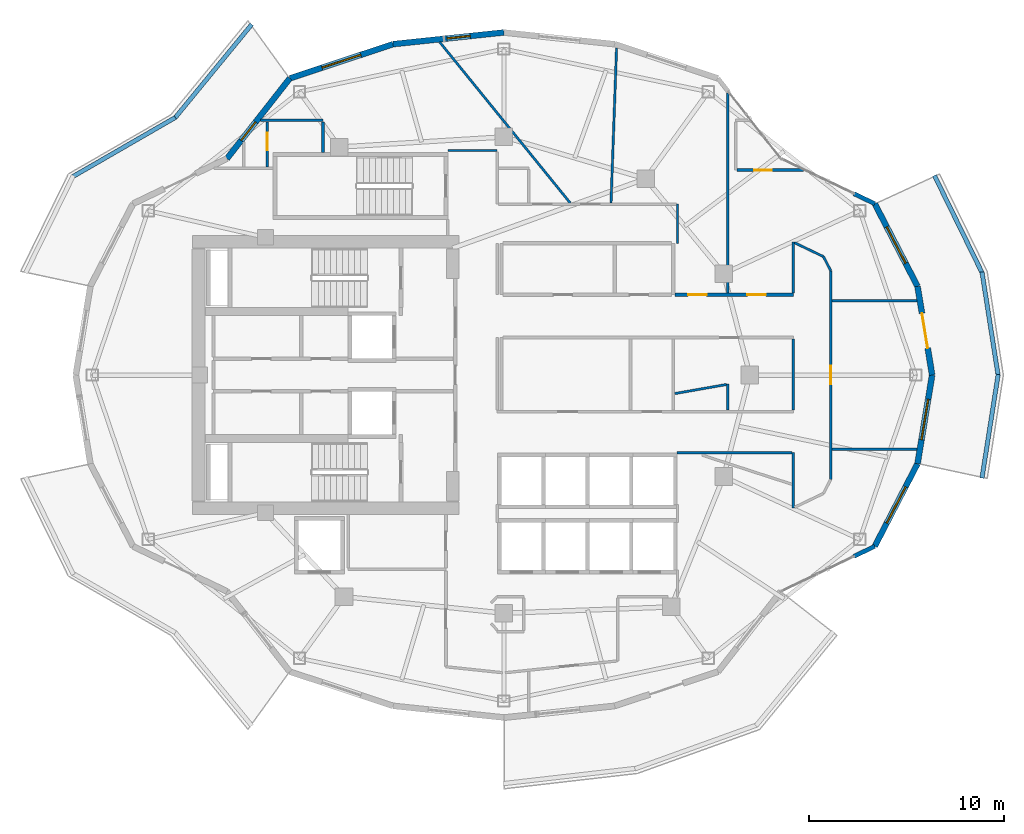
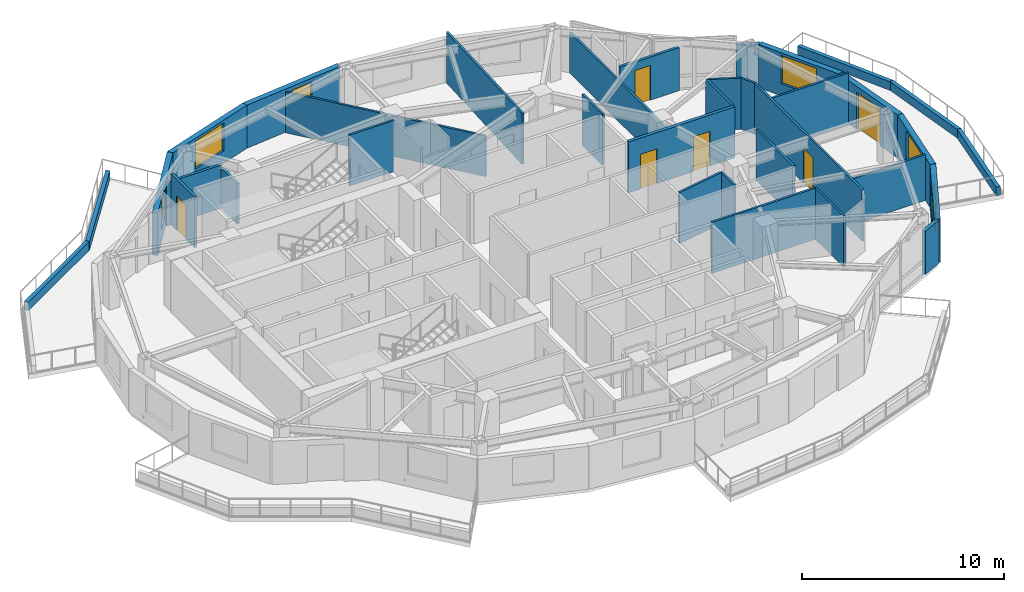
# One storey, part 8 of 13: 35 walls, 6 doors, 6 windows, 12 openings.
"""IFC4 building model written with IfcOpenShell, lengths in metres."""

import ifcopenshell
import ifcopenshell.guid

model = None  # the IFC model being written
_history = None  # IfcOwnerHistory: only IFC2X3 demands one
_inside = {}  # id of a spatial element -> (the spatial element, [elements in it])
_under = {}  # id of a project, library or spatial element -> (it, [spatial elements below it])
_declared = {}  # id of a project -> (the project, [libraries it declares])
_typed = {}  # id of a type object -> (the type object, [elements of that type])
_made_of = {}  # id of a material, layer set ... -> (it, [elements and type objects made of it])


def new_model(schema):
    """Start an empty IFC model of exactly this schema.

    Asked for "IFC4X3", IfcOpenShell would pick the latest addendum, in which some entities
    have other attributes; the version numbers below select the first issue.
    IFC2X3 requires an IfcOwnerHistory on every rooted entity: one is made here for all.
    """
    global model, _history
    if schema == "IFC4X3":
        model = ifcopenshell.file(schema_version=(4, 3, 0, 0))
    else:
        model = ifcopenshell.file(schema=schema)
    _inside.clear()
    _under.clear()
    _declared.clear()
    _typed.clear()
    _made_of.clear()
    _history = None
    if model.schema == "IFC2X3":
        org = make("IfcOrganization", Name="unknown")
        user = make(
            "IfcPersonAndOrganization",
            ThePerson=make("IfcPerson", FamilyName="unknown"),
            TheOrganization=org,
        )
        app = make(
            "IfcApplication",
            ApplicationDeveloper=org,
            Version="unknown",
            ApplicationFullName="unknown",
            ApplicationIdentifier="unknown",
        )
        _history = make(
            "IfcOwnerHistory",
            OwningUser=user,
            OwningApplication=app,
            ChangeAction="ADDED",
            CreationDate=0,
        )
    return model


def make(cls, **values):
    """One entity of the class cls with the attributes given. An attribute that is None is left unset."""
    return model.create_entity(
        cls, **{name: value for name, value in values.items() if value is not None}
    )


def rooted(cls, **values):
    """An entity with a GlobalId (a new one), such as an element, a storey or a relation."""
    return make(cls, GlobalId=ifcopenshell.guid.new(), OwnerHistory=_history, **values)


def si_unit(unit_type, name, prefix=None):
    """IfcSIUnit, for example si_unit("LENGTHUNIT", "METRE", prefix="MILLI")."""
    return make("IfcSIUnit", UnitType=unit_type, Prefix=prefix, Name=name)


def assignment(units):
    """IfcUnitAssignment: the units of a project."""
    return None if units is None else make("IfcUnitAssignment", Units=units)


def point(xyz):
    """IfcCartesianPoint."""
    return None if xyz is None else make("IfcCartesianPoint", Coordinates=xyz)


def direction(xyz):
    """IfcDirection."""
    return None if xyz is None else make("IfcDirection", DirectionRatios=xyz)


def frame(location, z_axis=None, x_axis=None):
    """IfcAxis2Placement3D, a coordinate frame: its origin and axes. An axis left out is left unset."""
    return make(
        "IfcAxis2Placement3D",
        Location=point(location),
        Axis=direction(z_axis),
        RefDirection=direction(x_axis),
    )


def frame_2d(location, x_axis=None):
    """IfcAxis2Placement2D, a coordinate frame in the plane: its origin and x axis."""
    return make(
        "IfcAxis2Placement2D", Location=point(location), RefDirection=direction(x_axis)
    )


def origin():
    """The frame at (0, 0, 0) with its axes left unset."""
    return frame((0.0, 0.0, 0.0))


def place(relative_to, where):
    """IfcLocalPlacement: puts the frame where relative to a parent placement (None: the world)."""
    return make(
        "IfcLocalPlacement", PlacementRelTo=relative_to, RelativePlacement=where
    )


def context(
    kind, dimensions, precision=None, world=None, true_north=None, identifier=None
):
    """IfcGeometricRepresentationContext, for example the 3D "Model" context."""
    return make(
        "IfcGeometricRepresentationContext",
        ContextIdentifier=identifier,
        ContextType=kind,
        CoordinateSpaceDimension=dimensions,
        Precision=precision,
        WorldCoordinateSystem=world,
        TrueNorth=true_north,
    )


def subcontext(parent, identifier, kind, view, scale=None):
    """IfcGeometricRepresentationSubContext, for example "Body" below "Model"."""
    return make(
        "IfcGeometricRepresentationSubContext",
        ContextIdentifier=identifier,
        ContextType=kind,
        ParentContext=parent,
        TargetScale=scale,
        TargetView=view,
    )


def project(units=None, contexts=None):
    """IfcProject with its units and contexts."""
    return rooted(
        "IfcProject",
        Name="project",
        RepresentationContexts=contexts,
        UnitsInContext=assignment(units),
    )


def spatial(cls, under=None, at=None, **own):
    """A site, building, storey or space (cls), placed at a placement, below another one or the project."""
    s = rooted(cls, ObjectPlacement=at, **own)
    if under is not None:
        _under.setdefault(under.id(), (under, []))[1].append(s)
    return s


def profile(cls, at=None, kind="AREA", **sizes):
    """A parametric profile (cls). Its sizes go by their IFC names, for example OverallWidth=200.0."""
    return make(cls, ProfileType=kind, Position=at, **sizes)


def rectangle(**sizes):
    """IfcRectangleProfileDef."""
    return profile("IfcRectangleProfileDef", **sizes)


def extrude(swept, where, along, depth):
    """IfcExtrudedAreaSolid: the profile swept, set in the frame where, extruded along a direction by depth."""
    return make(
        "IfcExtrudedAreaSolid",
        SweptArea=swept,
        Position=where,
        ExtrudedDirection=direction(along),
        Depth=depth,
    )


def shape(context_of_items, identifier, shape_type, items):
    """IfcShapeRepresentation: the items that make up one representation, for example the "Body"."""
    return make(
        "IfcShapeRepresentation",
        ContextOfItems=context_of_items,
        RepresentationIdentifier=identifier,
        RepresentationType=shape_type,
        Items=items,
    )


def material(Name=None, Category=None):
    """IfcMaterial."""
    return make("IfcMaterial", Name=Name, Category=Category)


def layer(
    of_material, thickness, ventilated=None, Name=None, Category=None, Priority=None
):
    """IfcMaterialLayer: one layer of a wall or slab, of a material (None: an air gap)."""
    return make(
        "IfcMaterialLayer",
        Material=of_material,
        LayerThickness=thickness,
        IsVentilated=ventilated,
        Name=Name,
        Category=Category,
        Priority=Priority,
    )


def layer_set(layers, Name=None):
    """IfcMaterialLayerSet."""
    return make("IfcMaterialLayerSet", MaterialLayers=layers, LayerSetName=Name)


def made_of(thing, what):
    """Note that an element or type object is made of a material, layer set ...; save() writes the relation."""
    if what is not None:
        _made_of.setdefault(what.id(), (what, []))[1].append(thing)
    return thing


def type_object(cls, material=None, **own):
    """A type object (cls), such as IfcWallType, which elements share."""
    return made_of(rooted(cls, **own), material)


def element(
    cls,
    number,
    at=None,
    inside=None,
    cuts=None,
    type_object=None,
    material=None,
    context=None,
    identifier="Body",
    shape_type=None,
    held_by="IfcProductDefinitionShape",
    body=None,
    shapes=None,
    **own,
):
    """One element of the class cls, such as IfcWall. Its Tag is "e" and its number.

    at: its placement. inside: the storey or other place that contains it. cuts: it is an
    opening in that element (IfcRelVoidsElement). A single representation is given by context,
    identifier, shape_type and body (its items); several are given by shapes. held_by: the class
    of the entity that holds the representations. save() writes the other relations.
    """
    e = rooted(cls, Tag="e%d" % number, ObjectPlacement=at, **own)
    if body is not None:
        shapes = [shape(context, identifier, shape_type, body)]
    if shapes is not None:
        e.Representation = make(held_by, Representations=shapes)
    if inside is not None:
        _inside.setdefault(inside.id(), (inside, []))[1].append(e)
    if cuts is not None:
        rooted(
            "IfcRelVoidsElement", RelatingBuildingElement=cuts, RelatedOpeningElement=e
        )
    if type_object is not None:
        _typed.setdefault(type_object.id(), (type_object, []))[1].append(e)
    return made_of(e, material)


def fill(opening, filler):
    """IfcRelFillsElement: the door or window that sits in an opening."""
    return rooted(
        "IfcRelFillsElement",
        RelatingOpeningElement=opening,
        RelatedBuildingElement=filler,
    )


def aggregate(whole, parts):
    """IfcRelAggregates: a whole, such as a stair, and the parts it consists of."""
    return rooted("IfcRelAggregates", RelatingObject=whole, RelatedObjects=parts)


def save(model, path):
    """Write the relations noted so far, then the file.

    IfcRelAggregates (storeys below a building ...), IfcRelContainedInSpatialStructure (elements
    in a storey), IfcRelDefinesByType, IfcRelAssociatesMaterial and IfcRelDeclares: one each for
    every whole, place, type object, material and project.
    """
    for whole, parts in _under.values():
        aggregate(whole, parts)
    for where, things in _inside.values():
        rooted(
            "IfcRelContainedInSpatialStructure",
            RelatedElements=things,
            RelatingStructure=where,
        )
    for kind, things in _typed.values():
        rooted("IfcRelDefinesByType", RelatedObjects=things, RelatingType=kind)
    for what, things in _made_of.values():
        rooted("IfcRelAssociatesMaterial", RelatedObjects=things, RelatingMaterial=what)
    for by, libraries in _declared.values():
        rooted("IfcRelDeclares", RelatingContext=by, RelatedDefinitions=libraries)
    model.write(path)


model = new_model("IFC4")

# Units and contexts
model_context = context("Model", 3, precision=1e-05, world=origin(), true_north=direction((0.0, 1.0)))
body_context = subcontext(model_context, "Body", "Model", "MODEL_VIEW")
ifc_project = project(units=[si_unit("LENGTHUNIT", "METRE"), si_unit("AREAUNIT", "SQUARE_METRE"), si_unit("VOLUMEUNIT", "CUBIC_METRE"), si_unit("PLANEANGLEUNIT", "RADIAN"), si_unit("MASSUNIT", "GRAM", prefix="KILO")], contexts=[model_context])

# Site, building, storey
site_placement = place(None, origin())
site = spatial("IfcSite", under=ifc_project, at=site_placement, CompositionType="ELEMENT")
building_placement = place(site_placement, origin())
building = spatial("IfcBuilding", under=site, at=building_placement, Name="Kolvaren Gate Tower and Convention Centre", CompositionType="ELEMENT")
storey_placement = place(building_placement, frame((0.0, 0.0, 183.5)))
storey = spatial("IfcBuildingStorey", under=building, at=storey_placement, Name="L48", CompositionType="ELEMENT", Elevation=183.5)

# Wall, openings, doors
ifc_material_1 = material(Name="Autoclaved Aerated Masonry Blockwork Class 4 (4.0 MPa)", Category="masonry")
ifc_layer_1 = layer(ifc_material_1, 0.179931640625)
ifc_layer_set_1 = layer_set([ifc_layer_1], Name="Autoclaved Aerated Masonry Blockwork Class 4 (4.0 MPa)")
wall_type_1 = type_object("IfcWallType", Name="ARCH-WL-COMP-180", PredefinedType="SOLIDWALL", material=ifc_layer_set_1)
wall_1_placement = place(storey_placement, frame((38.89208984375, 31.1201171875, 0.0), z_axis=(0.0, 0.0, 1.0), x_axis=(1.0, 0.0, 0.0)))
wall_1 = element("IfcWall", 1, at=wall_1_placement, inside=storey, type_object=wall_type_1, Name="Interior Partition WL-L48-INT-019 (2)", PredefinedType="SOLIDWALL", context=body_context, shape_type="SweptSolid", body=[
    extrude(rectangle(XDim=6.057861328125, YDim=0.179931640625, at=frame_2d((3.02880859375, 0.0))), origin(), (0.0, 0.0, 1.0), 3.080078125),
])
opening_1_placement = place(wall_1_placement, frame((3.702880859375, 0.0, 0.0)))
opening_1 = element("IfcOpeningElement", 2, at=opening_1_placement, cuts=wall_1, Name="Opening DR-01", PredefinedType="OPENING", context=body_context, shape_type="SweptSolid", body=[
    extrude(rectangle(XDim=0.949951171875, YDim=2.10009765625, at=frame_2d((0.47509765625, 1.050048828125))), frame((0.0, 0.099853515625, 0.0), z_axis=(0.0, -1.0, 0.0), x_axis=(1.0, 0.0, 0.0)), (0.0, 0.0, 1.0), 0.199951171875),
])
opening_2_placement = place(wall_1_placement, frame((0.6640625, 0.0, 0.0)))
opening_2 = element("IfcOpeningElement", 3, at=opening_2_placement, cuts=wall_1, Name="Opening DR-01", PredefinedType="OPENING", context=body_context, shape_type="SweptSolid", body=[
    extrude(rectangle(XDim=0.949951171875, YDim=2.10009765625, at=frame_2d((0.47509765625, 1.050048828125))), frame((0.0, 0.099853515625, 0.0), z_axis=(0.0, -1.0, 0.0), x_axis=(1.0, 0.0, 0.0)), (0.0, 0.0, 1.0), 0.199951171875),
])
ifc_material_2 = material(Name="Painted Architectural Steelwork ASTM A500 Grade C 345 MPa", Category="steel")
door_type_1 = type_object("IfcDoorType", Name="ARCH-DR-RISER-950", OperationType="SINGLE_SWING_RIGHT", PredefinedType="DOOR", material=ifc_material_2)
door_1_placement = place(opening_1_placement, origin())
door_1 = element("IfcDoor", 4, at=door_1_placement, inside=storey, type_object=door_type_1, Name="Hotel Guest Room (HTL-L48-05) Door", OperationType="SINGLE_SWING_LEFT", OverallHeight=2.10009765625, OverallWidth=0.949951171875, PredefinedType="DOOR", context=body_context, shape_type="SweptSolid", body=[
    extrude(rectangle(XDim=0.949951171875, YDim=2.10009765625, at=frame_2d((0.47509765625, 1.050048828125))), frame((0.0, 0.02490234375, 0.0), z_axis=(0.0, -1.0, 0.0), x_axis=(1.0, 0.0, 0.0)), (0.0, 0.0, 1.0), 0.050048828125),
])
fill(opening_1, door_1)
door_2_placement = place(opening_2_placement, origin())
door_2 = element("IfcDoor", 5, at=door_2_placement, inside=storey, type_object=door_type_1, Name="Hotel Botanical Clubroom Door", OperationType="SINGLE_SWING_RIGHT", OverallHeight=2.10009765625, OverallWidth=0.949951171875, PredefinedType="DOOR", context=body_context, shape_type="SweptSolid", body=[
    extrude(rectangle(XDim=0.949951171875, YDim=2.10009765625, at=frame_2d((0.47509765625, 1.050048828125))), frame((0.0, 0.02490234375, 0.0), z_axis=(0.0, -1.0, 0.0), x_axis=(1.0, 0.0, 0.0)), (0.0, 0.0, 1.0), 0.050048828125),
])
fill(opening_2, door_2)

# Walls
ifc_material_3 = material(Name="Fire-Rated Acoustic Gypsum Stud Partition", Category="gypsum")
ifc_layer_2 = layer(ifc_material_3, 0.1201171875)
ifc_layer_set_2 = layer_set([ifc_layer_2], Name="Fire-Rated Acoustic Gypsum Stud Partition")
wall_type_2 = type_object("IfcWallType", Name="ARCH-WL-PART-120", PredefinedType="PARTITIONING", material=ifc_layer_set_2)
wall_2_placement = place(storey_placement, frame((39.02001953125, 33.75, 0.0), z_axis=(0.0, 0.0, 1.0), x_axis=(0.0, 1.0, 0.0)))
element("IfcWall", 6, at=wall_2_placement, inside=storey, type_object=wall_type_2, Name="Interior Partition WL-L48-INT-023", PredefinedType="PARTITIONING", context=body_context, shape_type="SweptSolid", body=[
    extrude(rectangle(XDim=2.0, YDim=0.1201171875, at=frame_2d((1.0, 0.0))), origin(), (0.0, 0.0, 1.0), 3.080078125),
])
wall_3_placement = place(storey_placement, frame((27.25, 38.5, 0.0), z_axis=(0.0, 0.0, 1.0), x_axis=(1.0, 0.0, 0.0)))
element("IfcWall", 7, at=wall_3_placement, inside=storey, type_object=wall_type_2, Name="Interior Partition WL-L48-INT-030", PredefinedType="PARTITIONING", context=body_context, shape_type="SweptSolid", body=[
    extrude(rectangle(XDim=2.530029296875, YDim=0.1201171875, at=frame_2d((1.26513671875, 0.0))), origin(), (0.0, 0.0, 1.0), 3.080078125),
])
wall_4_placement = place(storey_placement, frame((44.949951171875, 20.19189453125, 0.0), z_axis=(0.0, 0.0, 1.0), x_axis=(0.0, 1.0, 0.0)))
element("IfcWall", 8, at=wall_4_placement, inside=storey, type_object=wall_type_2, Name="Interior Partition WL-L48-INT-036", PredefinedType="PARTITIONING", context=body_context, shape_type="SweptSolid", body=[
    extrude(rectangle(XDim=2.828125, YDim=0.1201171875, at=frame_2d((1.4140625, 0.0))), origin(), (0.0, 0.0, 1.0), 3.080078125),
])
wall_5_placement = place(storey_placement, frame((44.949951171875, 25.197021484375, 0.0), z_axis=(0.0, 0.0, 1.0), x_axis=(0.0, 1.0, 0.0)))
element("IfcWall", 9, at=wall_5_placement, inside=storey, type_object=wall_type_2, Name="Interior Partition WL-L48-INT-037", PredefinedType="PARTITIONING", context=body_context, shape_type="SweptSolid", body=[
    extrude(rectangle(XDim=3.64599609375, YDim=0.1201171875, at=frame_2d((1.822998046875, 0.0))), origin(), (0.0, 0.0, 1.0), 3.080078125),
])
wall_6_placement = place(storey_placement, frame((44.949951171875, 31.2119140625, 0.0), z_axis=(0.0, 0.0, 1.0), x_axis=(0.0, 1.0, 0.0)))
element("IfcWall", 10, at=wall_6_placement, inside=storey, type_object=wall_type_2, Name="Interior Partition WL-L48-INT-038", PredefinedType="PARTITIONING", context=body_context, shape_type="SweptSolid", body=[
    extrude(rectangle(XDim=2.59619140625, YDim=0.1201171875, at=frame_2d((1.298095703125, 0.0))), origin(), (0.0, 0.0, 1.0), 3.080078125),
])
wall_7_placement = place(storey_placement, frame((45.011962890625, 33.7783203125, 0.0), z_axis=(0.0, 0.0, 1.0), x_axis=(0.901268034538, -0.433261964544, 0.0)))
element("IfcWall", 11, at=wall_7_placement, inside=storey, type_object=wall_type_2, Name="Interior Partition WL-L48-INT-039", PredefinedType="PARTITIONING", context=body_context, shape_type="SweptSolid", body=[
    extrude(rectangle(XDim=1.644287109375, YDim=0.1201171875, at=frame_2d((0.822265625, 0.0))), origin(), (0.0, 0.0, 1.0), 3.080078125),
])
wall_8_placement = place(storey_placement, frame((46.493896484375, 33.06591796875, 0.0), z_axis=(0.0, 0.0, 1.0), x_axis=(0.460674892026, -0.887568951607, 0.0)))
element("IfcWall", 12, at=wall_8_placement, inside=storey, type_object=wall_type_2, Name="Interior Partition WL-L48-INT-040", PredefinedType="PARTITIONING", context=body_context, shape_type="SweptSolid", body=[
    extrude(rectangle(XDim=0.816650390625, YDim=0.1201171875, at=frame_2d((0.408203125, 0.0))), origin(), (0.0, 0.0, 1.0), 3.080078125),
])

# Wall, opening, door
wall_9_placement = place(storey_placement, frame((46.8701171875, 21.658935546875, 0.0), z_axis=(0.0, 0.0, 1.0), x_axis=(0.0, 1.0, 0.0)))
wall_9 = element("IfcWall", 13, at=wall_9_placement, inside=storey, type_object=wall_type_2, Name="Interior Partition WL-L48-INT-041", PredefinedType="PARTITIONING", context=body_context, shape_type="SweptSolid", body=[
    extrude(rectangle(XDim=10.68212890625, YDim=0.1201171875, at=frame_2d((5.341064453125, 0.0))), origin(), (0.0, 0.0, 1.0), 3.080078125),
])
opening_3_placement = place(wall_9_placement, frame((4.865966796875, 0.0, 0.0)))
opening_3 = element("IfcOpeningElement", 14, at=opening_3_placement, cuts=wall_9, Name="Opening DR-01", PredefinedType="OPENING", context=body_context, shape_type="SweptSolid", body=[
    extrude(rectangle(XDim=0.949951171875, YDim=2.10009765625, at=frame_2d((0.47509765625, 1.050048828125))), frame((0.0, 0.070068359375, 0.0), z_axis=(0.0, -1.0, 0.0), x_axis=(1.0, 0.0, 0.0)), (0.0, 0.0, 1.0), 0.14013671875),
])
door_3_placement = place(opening_3_placement, origin())
door_3 = element("IfcDoor", 15, at=door_3_placement, inside=storey, type_object=door_type_1, Name="Sky Gastronomy Restaurant Door", OperationType="SINGLE_SWING_LEFT", OverallHeight=2.10009765625, OverallWidth=0.949951171875, PredefinedType="DOOR", context=body_context, shape_type="SweptSolid", body=[
    extrude(rectangle(XDim=0.949951171875, YDim=2.10009765625, at=frame_2d((0.47509765625, 1.050048828125))), frame((0.0, 0.02490234375, 0.0), z_axis=(0.0, -1.0, 0.0), x_axis=(1.0, 0.0, 0.0)), (0.0, 0.0, 1.0), 0.050048828125),
])
fill(opening_3, door_3)

# Walls
wall_10_placement = place(storey_placement, frame((39.0, 23.02001953125, 0.0), z_axis=(0.0, 0.0, 1.0), x_axis=(1.0, 0.0, 0.0)))
element("IfcWall", 16, at=wall_10_placement, inside=storey, type_object=wall_type_2, Name="Interior Partition WL-L48-INT-044", PredefinedType="PARTITIONING", context=body_context, shape_type="SweptSolid", body=[
    extrude(rectangle(XDim=5.887939453125, YDim=0.1201171875, at=frame_2d((2.94384765625, 0.0))), origin(), (0.0, 0.0, 1.0), 3.080078125),
])
wall_11_placement = place(storey_placement, frame((46.931884765625, 23.199951171875, 0.0), z_axis=(0.0, 0.0, 1.0), x_axis=(1.0, 0.0, 0.0)))
element("IfcWall", 17, at=wall_11_placement, inside=storey, type_object=wall_type_2, Name="Interior Partition WL-L48-INT-054", PredefinedType="PARTITIONING", context=body_context, shape_type="SweptSolid", body=[
    extrude(rectangle(XDim=4.351318359375, YDim=0.1201171875, at=frame_2d((2.17578125, 0.0))), origin(), (0.0, 0.0, 1.0), 2.761962890625),
])
wall_12_placement = place(storey_placement, frame((46.931884765625, 30.800048828125, 0.0), z_axis=(0.0, 0.0, 1.0), x_axis=(1.0, 0.0, 0.0)))
element("IfcWall", 18, at=wall_12_placement, inside=storey, type_object=wall_type_2, Name="Interior Partition WL-L48-INT-055", PredefinedType="PARTITIONING", context=body_context, shape_type="SweptSolid", body=[
    extrude(rectangle(XDim=4.351318359375, YDim=0.1201171875, at=frame_2d((2.17578125, 0.0))), origin(), (0.0, 0.0, 1.0), 3.080078125),
])
wall_13_placement = place(storey_placement, frame((41.60009765625, 25.197021484375, 0.0), z_axis=(0.0, 0.0, 1.0), x_axis=(0.0, 1.0, 0.0)))
element("IfcWall", 19, at=wall_13_placement, inside=storey, type_object=wall_type_2, Name="Interior Partition WL-L48-INT-056", PredefinedType="PARTITIONING", context=body_context, shape_type="SweptSolid", body=[
    extrude(rectangle(XDim=1.3310546875, YDim=0.1201171875, at=frame_2d((0.66552734375, 0.0))), origin(), (0.0, 0.0, 1.0), 3.080078125),
])
wall_14_placement = place(storey_placement, frame((41.60009765625, 31.2119140625, 0.0), z_axis=(0.0, 0.0, 1.0), x_axis=(0.0, 1.0, 0.0)))
element("IfcWall", 20, at=wall_14_placement, inside=storey, type_object=wall_type_2, Name="Interior Partition WL-L48-INT-057", PredefinedType="PARTITIONING", context=body_context, shape_type="SweptSolid", body=[
    extrude(rectangle(XDim=10.23828125, YDim=0.1201171875, at=frame_2d((5.119140625, 0.0))), origin(), (0.0, 0.0, 1.0), 2.455078125),
])
wall_15_placement = place(storey_placement, frame((38.876953125, 26.048583984375, 0.0), z_axis=(0.0, 0.0, 1.0), x_axis=(0.984853517989, 0.173388431286, 0.0)))
element("IfcWall", 21, at=wall_15_placement, inside=storey, type_object=wall_type_2, Name="Interior Partition WL-L48-INT-058", PredefinedType="PARTITIONING", context=body_context, shape_type="SweptSolid", body=[
    extrude(rectangle(XDim=2.7021484375, YDim=0.1201171875, at=frame_2d((1.35107421875, 0.0))), origin(), (0.0, 0.0, 1.0), 3.080078125),
])
wall_16_placement = place(storey_placement, frame((35.611083984375, 35.81201171875, 0.0), z_axis=(0.0, 0.0, 1.0), x_axis=(0.035850277254, 0.999357172197, 0.0)))
element("IfcWall", 22, at=wall_16_placement, inside=storey, type_object=wall_type_2, Name="Interior Partition WL-L48-INT-063", PredefinedType="PARTITIONING", context=body_context, shape_type="SweptSolid", body=[
    extrude(rectangle(XDim=7.9541015625, YDim=0.1201171875, at=frame_2d((3.97705078125, 0.0))), origin(), (0.0, 0.0, 1.0), 3.080078125),
])
wall_17_placement = place(storey_placement, frame((26.83935546875, 44.051025390625, 0.0), z_axis=(0.0, 0.0, 1.0), x_axis=(0.630087458982, -0.77652417479, 0.0)))
element("IfcWall", 23, at=wall_17_placement, inside=storey, type_object=wall_type_2, Name="Interior Partition WL-L48-INT-064", PredefinedType="PARTITIONING", context=body_context, shape_type="SweptSolid", body=[
    extrude(rectangle(XDim=10.610107421875, YDim=0.1201171875, at=frame_2d((5.30517578125, 0.0))), origin(), (0.0, 0.0, 1.0), 2.455078125),
])
ifc_material_4 = material(Name="Bogota Sabana Bush-Hammered Sandstone Cladding", Category="masonry")
ifc_layer_3 = layer(ifc_material_4, 0.219970703125)
ifc_layer_set_3 = layer_set([ifc_layer_3], Name="Bogota Sabana Bush-Hammered Sandstone Cladding")
wall_type_3 = type_object("IfcWallType", Name="ARCH-WL-PIER-220", PredefinedType="SOLIDWALL", material=ifc_layer_set_3)
for number, where, z_axis, x_axis, name in (
    (24, (48.05859375, 36.28662109375, 0.0), (0.0, 0.0, 1.0), (0.901303636532, -0.433187897769, 0.0), "Tower L48 Unitised Curtain Wall CW-HTL-UNIT Bay 02 Right Column Pier Wrap"),
    (25, (48.05859375, 17.71337890625, 0.0), (0.0, 0.0, 1.0), (0.901303636532, 0.433187897769, 0.0), "Tower L48 Unitised Curtain Wall CW-HTL-UNIT Bay 21 Right Column Pier Wrap"),
):
    element("IfcWall", number, at=place(storey_placement, frame(where, z_axis=z_axis, x_axis=x_axis)), inside=storey, type_object=wall_type_3, Name=name, PredefinedType="SOLIDWALL", context=body_context, shape_type="SweptSolid", body=[
        extrude(rectangle(XDim=1.181396484375, YDim=0.219970703125, at=frame_2d((0.5908203125, 0.0))), origin(), (0.0, 0.0, 1.0), 2.60302734375),
    ])
ifc_material_5 = material(Name="Piedmont Cream Honed Limestone Cladding", Category="masonry")
ifc_layer_4 = layer(ifc_material_5, 0.219970703125)
ifc_layer_set_4 = layer_set([ifc_layer_4], Name="Piedmont Cream Honed Limestone Cladding")
wall_type_4 = type_object("IfcWallType", Name="ARCH-WL-PLANTER-220", PredefinedType="PARAPET", material=ifc_layer_set_4)
wall_18_placement = place(storey_placement, frame((13.24609375, 40.13720703125, 0.0), z_axis=(0.0, 0.0, 1.0), x_axis=(0.634429234628, 0.77298094818, 0.0)))
element("IfcWall", 26, at=wall_18_placement, inside=storey, type_object=wall_type_4, Name="Vertical-Forest Balcony Stone Planter Kerb PK-L48-1.1", PredefinedType="PARAPET", context=body_context, shape_type="SweptSolid", body=[
    extrude(rectangle(XDim=6.244873046875, YDim=0.219970703125, at=frame_2d((3.12255859375, 0.0))), origin(), (0.0, 0.0, 1.0), 0.52001953125),
])
wall_19_placement = place(storey_placement, frame((8.0439453125, 37.16552734375, 0.0), z_axis=(0.0, 0.0, 1.0), x_axis=(0.866058128659, 0.499943314571, 0.0)))
element("IfcWall", 27, at=wall_19_placement, inside=storey, type_object=wall_type_4, Name="Vertical-Forest Balcony Stone Planter Kerb PK-L48-1.2", PredefinedType="PARAPET", context=body_context, shape_type="SweptSolid", body=[
    extrude(rectangle(XDim=6.060302734375, YDim=0.219970703125, at=frame_2d((3.0302734375, 0.0))), origin(), (0.0, 0.0, 1.0), 0.52001953125),
])
for number, where, z_axis, x_axis, name in (
    (28, (54.615234375, 21.719970703125, 0.0), (0.0, 0.0, 1.0), (0.154245214003, 0.988032597619, 0.0), "Vertical-Forest Balcony Stone Planter Kerb PK-L48-4.1"),
    (29, (54.615234375, 32.280029296875, 0.0), (0.0, 0.0, 1.0), (0.154245214003, -0.988032597619, 0.0), "Vertical-Forest Balcony Stone Planter Kerb PK-L48-4.2"),
):
    element("IfcWall", number, at=place(storey_placement, frame(where, z_axis=z_axis, x_axis=x_axis)), inside=storey, type_object=wall_type_4, Name=name, PredefinedType="PARAPET", context=body_context, shape_type="SweptSolid", body=[
        extrude(rectangle(XDim=5.37353515625, YDim=0.219970703125, at=frame_2d((2.686767578125, 0.0))), origin(), (0.0, 0.0, 1.0), 0.52001953125),
    ])
wall_20_placement = place(storey_placement, frame((52.180419921875, 37.221435546875, 0.0), z_axis=(0.0, 0.0, 1.0), x_axis=(0.439637174641, -0.898175458735, 0.0)))
element("IfcWall", 30, at=wall_20_placement, inside=storey, type_object=wall_type_4, Name="Vertical-Forest Balcony Stone Planter Kerb PK-L48-4.3", PredefinedType="PARAPET", context=body_context, shape_type="SweptSolid", body=[
    extrude(rectangle(XDim=5.567138671875, YDim=0.219970703125, at=frame_2d((2.78369140625, 0.0))), origin(), (0.0, 0.0, 1.0), 0.52001953125),
])

# Wall, opening, door
ifc_layer_5 = layer(ifc_material_5, 0.300048828125)
ifc_layer_set_5 = layer_set([ifc_layer_5], Name="Piedmont Cream Honed Limestone Cladding")
wall_type_5 = type_object("IfcWallType", Name="ARCH-WL-STONE-300", PredefinedType="SOLIDWALL", material=ifc_layer_set_5)
wall_21_placement = place(storey_placement, frame((51.31494140625, 31.542236328125, 0.0), z_axis=(0.0, 0.0, 1.0), x_axis=(0.162394765401, -0.986725868806, 0.0)))
wall_21 = element("IfcWall", 31, at=wall_21_placement, inside=storey, type_object=wall_type_5, Name="Tower L48 Honed Stone Spandrel Wall EW-00", PredefinedType="SOLIDWALL", context=body_context, shape_type="SweptSolid", body=[
    extrude(rectangle(XDim=4.603271484375, YDim=0.300048828125, at=frame_2d((2.3017578125, 0.0))), origin(), (0.0, 0.0, 1.0), 2.60302734375),
])
opening_4_placement = place(wall_21_placement, frame((1.402099609375, 0.0, 0.0)))
opening_4 = element("IfcOpeningElement", 32, at=opening_4_placement, cuts=wall_21, Name="Opening DB-01", PredefinedType="OPENING", context=body_context, shape_type="SweptSolid", body=[
    extrude(rectangle(XDim=1.800048828125, YDim=2.25, at=frame_2d((0.89990234375, 1.125))), frame((0.0, 0.159912109375, 0.0), z_axis=(0.0, -1.0, 0.0), x_axis=(1.0, 0.0, 0.0)), (0.0, 0.0, 1.0), 0.320068359375),
])
ifc_material_6 = material(Name="Anodized Architectural Aluminium Alloy 6063-T6", Category="aluminium")
door_type_2 = type_object("IfcDoorType", Name="ARCH-DR-BALC-1800", OperationType="SLIDING_TO_LEFT", PredefinedType="DOOR", material=ifc_material_6)
door_4_placement = place(opening_4_placement, origin())
door_4 = element("IfcDoor", 33, at=door_4_placement, inside=storey, type_object=door_type_2, Name="Planted Sky Terrace Access Door DB-L48-00", OperationType="SLIDING_TO_LEFT", OverallHeight=2.25, OverallWidth=1.800048828125, PredefinedType="DOOR", context=body_context, shape_type="SweptSolid", body=[
    extrude(rectangle(XDim=1.800048828125, YDim=2.25, at=frame_2d((0.89990234375, 1.125))), frame((0.0, 0.02490234375, 0.0), z_axis=(0.0, -1.0, 0.0), x_axis=(1.0, 0.0, 0.0)), (0.0, 0.0, 1.0), 0.050048828125),
])
fill(opening_4, door_4)

# Wall, opening, window
wall_22_placement = place(storey_placement, frame((49.123291015625, 35.77490234375, 0.0), z_axis=(0.0, 0.0, 1.0), x_axis=(0.459810251451, -0.888017191647, 0.0)))
wall_22 = element("IfcWall", 34, at=wall_22_placement, inside=storey, type_object=wall_type_5, Name="Tower L48 Honed Stone Spandrel Wall EW-01", PredefinedType="SOLIDWALL", context=body_context, shape_type="SweptSolid", body=[
    extrude(rectangle(XDim=4.766357421875, YDim=0.300048828125, at=frame_2d((2.38330078125, 0.0))), origin(), (0.0, 0.0, 1.0), 2.60302734375),
])
opening_5_placement = place(wall_22_placement, frame((1.3330078125, 0.0, 0.739990234375)))
opening_5 = element("IfcOpeningElement", 35, at=opening_5_placement, cuts=wall_22, Name="Opening W-02", PredefinedType="OPENING", context=body_context, shape_type="SweptSolid", body=[
    extrude(rectangle(XDim=2.10009765625, YDim=1.699951171875, at=frame_2d((1.050048828125, 0.85009765625))), frame((0.0, 0.159912109375, 0.0), z_axis=(0.0, -1.0, 0.0), x_axis=(1.0, 0.0, 0.0)), (0.0, 0.0, 1.0), 0.320068359375),
])
ifc_material_7 = material(Name="Low-E Triple Insulated Glazing Unit 44 mm", Category="glass")
window_type_1 = type_object("IfcWindowType", Name="ARCH-WN-HTL-2100", PartitioningType="SINGLE_PANEL", PredefinedType="WINDOW", material=ifc_material_7)
window_1_placement = place(opening_5_placement, origin())
window_1 = element("IfcWindow", 36, at=window_1_placement, inside=storey, type_object=window_type_1, Name="Tower L48 Punched Stone Facade Window W-01", OverallHeight=1.699951171875, OverallWidth=2.10009765625, PartitioningType="SINGLE_PANEL", PredefinedType="WINDOW", context=body_context, shape_type="SweptSolid", body=[
    extrude(rectangle(XDim=2.10009765625, YDim=1.699951171875, at=frame_2d((1.050048828125, 0.85009765625))), frame((0.0, 0.030029296875, 0.0), z_axis=(0.0, -1.0, 0.0), x_axis=(1.0, 0.0, 0.0)), (0.0, 0.0, 1.0), 0.06005859375),
])
fill(opening_5, window_1)

wall_23_placement = place(storey_placement, frame((24.447265625, 43.951904296875, 0.0), z_axis=(0.0, 0.0, 1.0), x_axis=(0.994496545245, 0.104769372887, 0.0)))
wall_23 = element("IfcWall", 37, at=wall_23_placement, inside=storey, type_object=wall_type_5, Name="Tower L48 Honed Stone Spandrel Wall EW-06", PredefinedType="SOLIDWALL", context=body_context, shape_type="SweptSolid", body=[
    extrude(rectangle(XDim=5.709228515625, YDim=0.300048828125, at=frame_2d((2.8544921875, 0.0))), origin(), (0.0, 0.0, 1.0), 2.60302734375),
])
opening_6_placement = place(wall_23_placement, frame((2.780029296875, 0.0, 0.719970703125)))
opening_6 = element("IfcOpeningElement", 38, at=opening_6_placement, cuts=wall_23, Name="Opening W-04", PredefinedType="OPENING", context=body_context, shape_type="SweptSolid", body=[
    extrude(rectangle(XDim=1.199951171875, YDim=1.64990234375, at=frame_2d((0.60009765625, 0.824951171875))), frame((0.0, 0.159912109375, 0.0), z_axis=(0.0, -1.0, 0.0), x_axis=(1.0, 0.0, 0.0)), (0.0, 0.0, 1.0), 0.320068359375),
])
window_type_2 = type_object("IfcWindowType", Name="ARCH-WN-NARROW-1200", PartitioningType="SINGLE_PANEL", PredefinedType="WINDOW", material=ifc_material_7)
window_2_placement = place(opening_6_placement, origin())
window_2 = element("IfcWindow", 39, at=window_2_placement, inside=storey, type_object=window_type_2, Name="Tower L48 Punched Stone Facade Window W-06", OverallHeight=1.64990234375, OverallWidth=1.199951171875, PartitioningType="SINGLE_PANEL", PredefinedType="WINDOW", context=body_context, shape_type="SweptSolid", body=[
    extrude(rectangle(XDim=1.199951171875, YDim=1.64990234375, at=frame_2d((0.60009765625, 0.824951171875))), frame((0.0, 0.030029296875, 0.0), z_axis=(0.0, -1.0, 0.0), x_axis=(1.0, 0.0, 0.0)), (0.0, 0.0, 1.0), 0.06005859375),
])
fill(opening_6, window_2)

wall_24_placement = place(storey_placement, frame((19.15625, 42.19873046875, 0.0), z_axis=(0.0, 0.0, 1.0), x_axis=(0.949246811547, 0.314532177636, 0.0)))
wall_24 = element("IfcWall", 40, at=wall_24_placement, inside=storey, type_object=wall_type_5, Name="Tower L48 Honed Stone Spandrel Wall EW-07", PredefinedType="SOLIDWALL", context=body_context, shape_type="SweptSolid", body=[
    extrude(rectangle(XDim=5.573974609375, YDim=0.300048828125, at=frame_2d((2.787109375, 0.0))), origin(), (0.0, 0.0, 1.0), 2.60302734375),
])
opening_7_placement = place(wall_24_placement, frame((1.737060546875, 0.0, 0.739990234375)))
opening_7 = element("IfcOpeningElement", 41, at=opening_7_placement, cuts=wall_24, Name="Opening W-02", PredefinedType="OPENING", context=body_context, shape_type="SweptSolid", body=[
    extrude(rectangle(XDim=2.10009765625, YDim=1.699951171875, at=frame_2d((1.050048828125, 0.85009765625))), frame((0.0, 0.159912109375, 0.0), z_axis=(0.0, -1.0, 0.0), x_axis=(1.0, 0.0, 0.0)), (0.0, 0.0, 1.0), 0.320068359375),
])
window_3_placement = place(opening_7_placement, origin())
window_3 = element("IfcWindow", 42, at=window_3_placement, inside=storey, type_object=window_type_1, Name="Tower L48 Punched Stone Facade Window W-07", OverallHeight=1.699951171875, OverallWidth=2.10009765625, PartitioningType="SINGLE_PANEL", PredefinedType="WINDOW", context=body_context, shape_type="SweptSolid", body=[
    extrude(rectangle(XDim=2.10009765625, YDim=1.699951171875, at=frame_2d((1.050048828125, 0.85009765625))), frame((0.0, 0.030029296875, 0.0), z_axis=(0.0, -1.0, 0.0), x_axis=(1.0, 0.0, 0.0)), (0.0, 0.0, 1.0), 0.06005859375),
])
fill(opening_7, window_3)

wall_25_placement = place(storey_placement, frame((15.9365234375, 38.0859375, 0.0), z_axis=(0.0, 0.0, 1.0), x_axis=(0.616429245738, 0.787410302828, 0.0)))
wall_25 = element("IfcWall", 43, at=wall_25_placement, inside=storey, type_object=wall_type_5, Name="Tower L48 Honed Stone Spandrel Wall EW-08", PredefinedType="SOLIDWALL", context=body_context, shape_type="SweptSolid", body=[
    extrude(rectangle(XDim=5.22314453125, YDim=0.300048828125, at=frame_2d((2.611572265625, 0.0))), origin(), (0.0, 0.0, 1.0), 2.60302734375),
])
opening_8_placement = place(wall_25_placement, frame((1.179931640625, 0.0, 0.719970703125)))
opening_8 = element("IfcOpeningElement", 44, at=opening_8_placement, cuts=wall_25, Name="Opening W-04", PredefinedType="OPENING", context=body_context, shape_type="SweptSolid", body=[
    extrude(rectangle(XDim=1.199951171875, YDim=1.64990234375, at=frame_2d((0.60009765625, 0.824951171875))), frame((0.0, 0.159912109375, 0.0), z_axis=(0.0, -1.0, 0.0), x_axis=(1.0, 0.0, 0.0)), (0.0, 0.0, 1.0), 0.320068359375),
])
window_4_placement = place(opening_8_placement, origin())
window_4 = element("IfcWindow", 45, at=window_4_placement, inside=storey, type_object=window_type_2, Name="Tower L48 Punched Stone Facade Window W-08", OverallHeight=1.64990234375, OverallWidth=1.199951171875, PartitioningType="SINGLE_PANEL", PredefinedType="WINDOW", context=body_context, shape_type="SweptSolid", body=[
    extrude(rectangle(XDim=1.199951171875, YDim=1.64990234375, at=frame_2d((0.60009765625, 0.824951171875))), frame((0.0, 0.030029296875, 0.0), z_axis=(0.0, -1.0, 0.0), x_axis=(1.0, 0.0, 0.0)), (0.0, 0.0, 1.0), 0.06005859375),
])
fill(opening_8, window_4)

wall_26_placement = place(storey_placement, frame((49.123291015625, 18.22509765625, 0.0), z_axis=(0.0, 0.0, 1.0), x_axis=(0.459810251451, 0.888017191647, 0.0)))
wall_26 = element("IfcWall", 46, at=wall_26_placement, inside=storey, type_object=wall_type_5, Name="Tower L48 Honed Stone Spandrel Wall EW-22", PredefinedType="SOLIDWALL", context=body_context, shape_type="SweptSolid", body=[
    extrude(rectangle(XDim=4.766357421875, YDim=0.300048828125, at=frame_2d((2.38330078125, 0.0))), origin(), (0.0, 0.0, 1.0), 2.60302734375),
])
opening_9_placement = place(wall_26_placement, frame((1.3330078125, 0.0, 0.739990234375)))
opening_9 = element("IfcOpeningElement", 47, at=opening_9_placement, cuts=wall_26, Name="Opening W-02", PredefinedType="OPENING", context=body_context, shape_type="SweptSolid", body=[
    extrude(rectangle(XDim=2.10009765625, YDim=1.699951171875, at=frame_2d((1.050048828125, 0.85009765625))), frame((0.0, 0.159912109375, 0.0), z_axis=(0.0, -1.0, 0.0), x_axis=(1.0, 0.0, 0.0)), (0.0, 0.0, 1.0), 0.320068359375),
])
window_5_placement = place(opening_9_placement, origin())
window_5 = element("IfcWindow", 48, at=window_5_placement, inside=storey, type_object=window_type_1, Name="Tower L48 Punched Stone Facade Window W-22", OverallHeight=1.699951171875, OverallWidth=2.10009765625, PartitioningType="SINGLE_PANEL", PredefinedType="WINDOW", context=body_context, shape_type="SweptSolid", body=[
    extrude(rectangle(XDim=2.10009765625, YDim=1.699951171875, at=frame_2d((1.050048828125, 0.85009765625))), frame((0.0, 0.030029296875, 0.0), z_axis=(0.0, -1.0, 0.0), x_axis=(1.0, 0.0, 0.0)), (0.0, 0.0, 1.0), 0.06005859375),
])
fill(opening_9, window_5)

wall_27_placement = place(storey_placement, frame((51.31494140625, 22.457763671875, 0.0), z_axis=(0.0, 0.0, 1.0), x_axis=(0.162394765401, 0.986725868806, 0.0)))
wall_27 = element("IfcWall", 49, at=wall_27_placement, inside=storey, type_object=wall_type_5, Name="Tower L48 Honed Stone Spandrel Wall EW-23", PredefinedType="SOLIDWALL", context=body_context, shape_type="SweptSolid", body=[
    extrude(rectangle(XDim=4.603271484375, YDim=0.300048828125, at=frame_2d((2.3017578125, 0.0))), origin(), (0.0, 0.0, 1.0), 2.60302734375),
])
opening_10_placement = place(wall_27_placement, frame((1.251953125, 0.0, 0.739990234375)))
opening_10 = element("IfcOpeningElement", 50, at=opening_10_placement, cuts=wall_27, Name="Opening W-02", PredefinedType="OPENING", context=body_context, shape_type="SweptSolid", body=[
    extrude(rectangle(XDim=2.10009765625, YDim=1.699951171875, at=frame_2d((1.050048828125, 0.85009765625))), frame((0.0, 0.159912109375, 0.0), z_axis=(0.0, -1.0, 0.0), x_axis=(1.0, 0.0, 0.0)), (0.0, 0.0, 1.0), 0.320068359375),
])
window_6_placement = place(opening_10_placement, origin())
window_6 = element("IfcWindow", 51, at=window_6_placement, inside=storey, type_object=window_type_1, Name="Tower L48 Punched Stone Facade Window W-23", OverallHeight=1.699951171875, OverallWidth=2.10009765625, PartitioningType="SINGLE_PANEL", PredefinedType="WINDOW", context=body_context, shape_type="SweptSolid", body=[
    extrude(rectangle(XDim=2.10009765625, YDim=1.699951171875, at=frame_2d((1.050048828125, 0.85009765625))), frame((0.0, 0.030029296875, 0.0), z_axis=(0.0, -1.0, 0.0), x_axis=(1.0, 0.0, 0.0)), (0.0, 0.0, 1.0), 0.06005859375),
])
fill(opening_10, window_6)

# Wall
ifc_material_8 = material(Name="Moisture-Resistant Cement-Board Acoustic Partition", Category="gypsum")
ifc_layer_6 = layer(ifc_material_8, 0.14990234375)
ifc_layer_set_6 = layer_set([ifc_layer_6], Name="Moisture-Resistant Cement-Board Acoustic Partition")
wall_type_6 = type_object("IfcWallType", Name="ARCH-WL-WET-150", PredefinedType="PARTITIONING", material=ifc_layer_set_6)
wall_28_placement = place(storey_placement, frame((17.6669921875, 40.050048828125, 0.0), z_axis=(0.0, 0.0, 1.0), x_axis=(1.0, 0.0, 0.0)))
element("IfcWall", 52, at=wall_28_placement, inside=storey, type_object=wall_type_6, Name="Interior Partition WL-L48-INT-059", PredefinedType="PARTITIONING", context=body_context, shape_type="SweptSolid", body=[
    extrude(rectangle(XDim=3.18310546875, YDim=0.14990234375, at=frame_2d((1.591552734375, 0.0))), origin(), (0.0, 0.0, 1.0), 2.60302734375),
])

# Wall, opening, door
wall_29_placement = place(storey_placement, frame((42.076904296875, 37.5, 0.0), z_axis=(0.0, 0.0, 1.0), x_axis=(1.0, 0.0, 0.0)))
wall_29 = element("IfcWall", 53, at=wall_29_placement, inside=storey, type_object=wall_type_6, Name="Interior Partition WL-L48-INT-062", PredefinedType="PARTITIONING", context=body_context, shape_type="SweptSolid", body=[
    extrude(rectangle(XDim=3.403076171875, YDim=0.14990234375, at=frame_2d((1.70166015625, 0.0))), origin(), (0.0, 0.0, 1.0), 2.60302734375),
])
opening_11_placement = place(wall_29_placement, frame((0.861572265625, 0.0, 0.0)))
opening_11 = element("IfcOpeningElement", 54, at=opening_11_placement, cuts=wall_29, Name="Opening DW-01", PredefinedType="OPENING", context=body_context, shape_type="SweptSolid", body=[
    extrude(rectangle(XDim=0.89990234375, YDim=2.10009765625, at=frame_2d((0.449951171875, 1.050048828125))), frame((0.0, 0.0849609375, 0.0), z_axis=(0.0, -1.0, 0.0), x_axis=(1.0, 0.0, 0.0)), (0.0, 0.0, 1.0), 0.169921875),
])
ifc_material_9 = material(Name="FSC Andean Oak Engineered Veneer Door Leaf", Category="wood")
door_type_3 = type_object("IfcDoorType", Name="ARCH-DR-WC-900", OperationType="SINGLE_SWING_RIGHT", PredefinedType="DOOR", material=ifc_material_9)
door_5_placement = place(opening_11_placement, origin())
door_5 = element("IfcDoor", 55, at=door_5_placement, inside=storey, type_object=door_type_3, Name="En-suite Bathroom (HTL-L48-05) Door", OperationType="SINGLE_SWING_LEFT", OverallHeight=2.10009765625, OverallWidth=0.89990234375, PredefinedType="DOOR", context=body_context, shape_type="SweptSolid", body=[
    extrude(rectangle(XDim=0.89990234375, YDim=2.10009765625, at=frame_2d((0.449951171875, 1.050048828125))), frame((0.0, 0.02490234375, 0.0), z_axis=(0.0, -1.0, 0.0), x_axis=(1.0, 0.0, 0.0)), (0.0, 0.0, 1.0), 0.050048828125),
])
fill(opening_11, door_5)

# Wall
wall_30_placement = place(storey_placement, frame((20.85009765625, 38.402099609375, 0.0), z_axis=(0.0, 0.0, 1.0), x_axis=(0.0, 1.0, 0.0)))
element("IfcWall", 56, at=wall_30_placement, inside=storey, type_object=wall_type_6, Name="Interior Partition WL-L48-INT-065", PredefinedType="PARTITIONING", context=body_context, shape_type="SweptSolid", body=[
    extrude(rectangle(XDim=1.57080078125, YDim=0.14990234375, at=frame_2d((0.785400390625, 0.0))), origin(), (0.0, 0.0, 1.0), 2.455078125),
])

# Wall, opening, door
wall_31_placement = place(storey_placement, frame((18.0, 37.662109375, 0.0), z_axis=(0.0, 0.0, 1.0), x_axis=(0.0, 1.0, 0.0)))
wall_31 = element("IfcWall", 57, at=wall_31_placement, inside=storey, type_object=wall_type_6, Name="Interior Partition WL-L48-INT-066", PredefinedType="PARTITIONING", context=body_context, shape_type="SweptSolid", body=[
    extrude(rectangle(XDim=2.310791015625, YDim=0.14990234375, at=frame_2d((1.1552734375, 0.0))), origin(), (0.0, 0.0, 1.0), 3.080078125),
])
opening_12_placement = place(wall_31_placement, frame((0.845458984375, 0.0, 0.0)))
opening_12 = element("IfcOpeningElement", 58, at=opening_12_placement, cuts=wall_31, Name="Opening DW-01", PredefinedType="OPENING", context=body_context, shape_type="SweptSolid", body=[
    extrude(rectangle(XDim=0.89990234375, YDim=2.10009765625, at=frame_2d((0.449951171875, 1.050048828125))), frame((0.0, 0.0849609375, 0.0), z_axis=(0.0, -1.0, 0.0), x_axis=(1.0, 0.0, 0.0)), (0.0, 0.0, 1.0), 0.169921875),
])
door_6_placement = place(opening_12_placement, origin())
door_6 = element("IfcDoor", 59, at=door_6_placement, inside=storey, type_object=door_type_3, Name="En-suite Bathroom (HTL-L48-08) Door", OperationType="SINGLE_SWING_RIGHT", OverallHeight=2.10009765625, OverallWidth=0.89990234375, PredefinedType="DOOR", context=body_context, shape_type="SweptSolid", body=[
    extrude(rectangle(XDim=0.89990234375, YDim=2.10009765625, at=frame_2d((0.449951171875, 1.050048828125))), frame((0.0, 0.02490234375, 0.0), z_axis=(0.0, -1.0, 0.0), x_axis=(1.0, 0.0, 0.0)), (0.0, 0.0, 1.0), 0.050048828125),
])
fill(opening_12, door_6)

save(model, "model.ifc")
